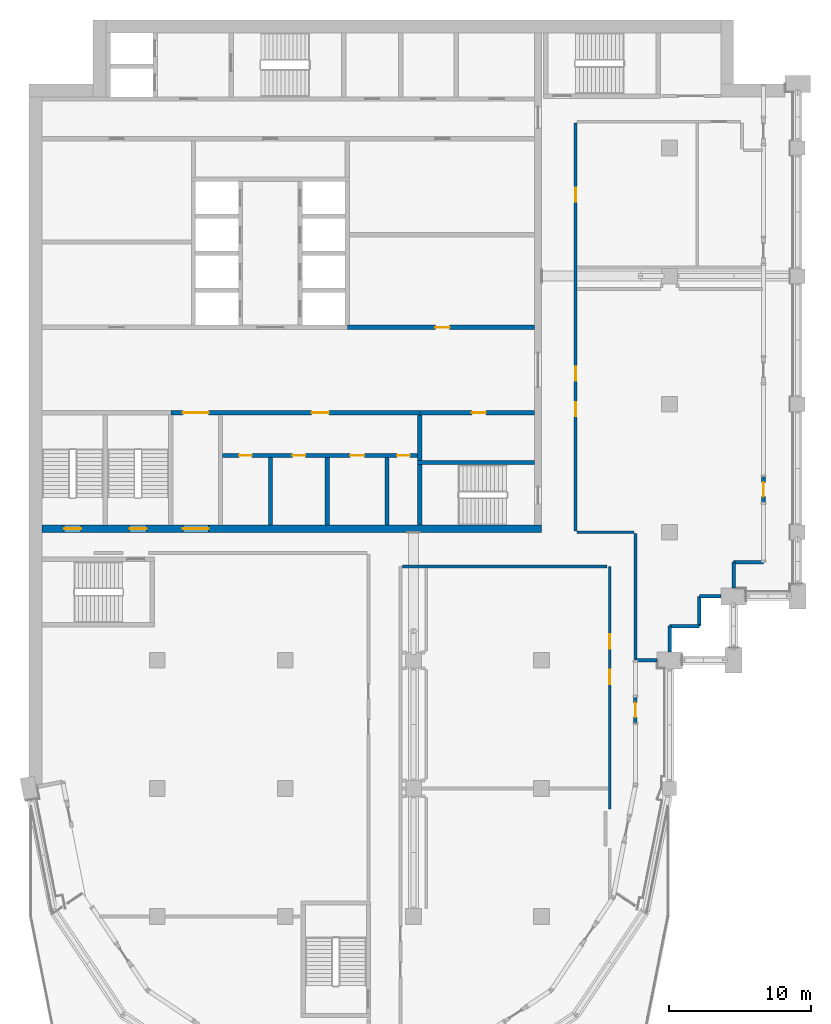
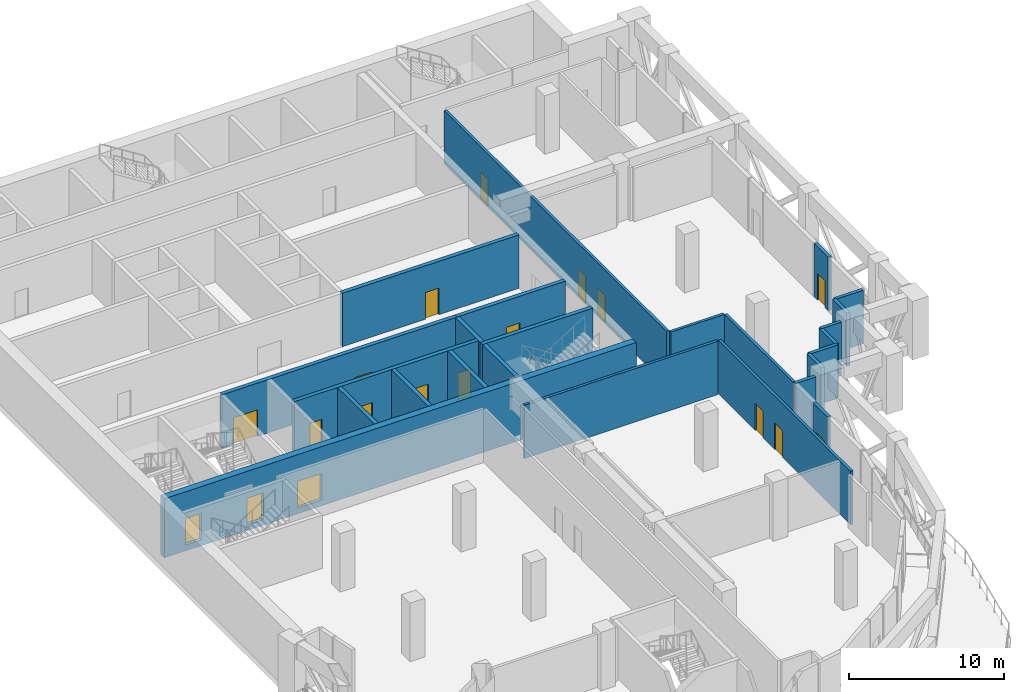
# One storey, part 7 of 16: 25 walls, 18 doors, 18 openings.
"""IFC4 building model written with IfcOpenShell, lengths in metres."""

from ifc_helpers import new_model, si_unit, direction, frame, frame_2d, origin, place, context, subcontext, project, spatial, rectangle, extrude, material, layer, layer_set, type_object, element, fill, save


model = new_model("IFC4")

# Units and contexts
model_context = context("Model", 3, precision=1e-05, world=origin(), true_north=direction((0.0, 1.0)))
body_context = subcontext(model_context, "Body", "Model", "MODEL_VIEW")
ifc_project = project(units=[si_unit("LENGTHUNIT", "METRE"), si_unit("AREAUNIT", "SQUARE_METRE"), si_unit("VOLUMEUNIT", "CUBIC_METRE"), si_unit("PLANEANGLEUNIT", "RADIAN"), si_unit("MASSUNIT", "GRAM", prefix="KILO")], contexts=[model_context])

# Site, building, storey
site_placement = place(None, origin())
site = spatial("IfcSite", under=ifc_project, at=site_placement, CompositionType="ELEMENT")
building_placement = place(site_placement, origin())
building = spatial("IfcBuilding", under=site, at=building_placement, Name="Hunhe Ridgeline Campus", CompositionType="ELEMENT")
storey_placement = place(building_placement, frame((0.0, 0.0, 227.199951171875)))
storey = spatial("IfcBuildingStorey", under=building, at=storey_placement, Name="L58", CompositionType="ELEMENT", Elevation=227.199951171875)

# Wall, openings, doors
ifc_material_1 = material(Name="Masonry concrete blockwork", Category="masonry")
ifc_layer_1 = layer(ifc_material_1, 0.300048828125)
ifc_layer_set_1 = layer_set([ifc_layer_1], Name="Core room partition 300 concrete block")
wall_type_1 = type_object("IfcWallType", Name="Core room partition 300 concrete block", PredefinedType="PARTITIONING", material=ifc_layer_set_1)
wall_1_placement = place(storey_placement, frame((13.60009765625, 68.39990234375, 0.0), z_axis=(0.0, 0.0, 1.0), x_axis=(1.0, 0.0, 0.0)))
wall_1 = element("IfcWall", 1, at=wall_1_placement, inside=storey, type_object=wall_type_1, Name="L58 core partition 7", PredefinedType="PARTITIONING", context=body_context, shape_type="SweptSolid", body=[
    extrude(rectangle(XDim=13.699951171875, YDim=0.300048828125, at=frame_2d((6.85009765625, 0.0))), origin(), (0.0, 0.0, 1.0), 4.199951171875),
])
opening_1_placement = place(wall_1_placement, frame((1.14990234375, 0.0, 0.0)))
opening_1 = element("IfcOpeningElement", 2, at=opening_1_placement, cuts=wall_1, Name="Opening CD8", PredefinedType="OPENING", context=body_context, shape_type="SweptSolid", body=[
    extrude(rectangle(XDim=0.89990234375, YDim=2.10009765625, at=frame_2d((0.449951171875, 1.050048828125))), frame((0.0, 0.14990234375, 0.0), z_axis=(0.0, -1.0, 0.0), x_axis=(1.0, 0.0, 0.0)), (0.0, 0.0, 1.0), 0.300048828125),
])
opening_2_placement = place(wall_1_placement, frame((4.89990234375, 0.0, 0.0)))
opening_2 = element("IfcOpeningElement", 3, at=opening_2_placement, cuts=wall_1, Name="Opening CD9", PredefinedType="OPENING", context=body_context, shape_type="SweptSolid", body=[
    extrude(rectangle(XDim=0.89990234375, YDim=2.10009765625, at=frame_2d((0.449951171875, 1.050048828125))), frame((0.0, 0.14990234375, 0.0), z_axis=(0.0, -1.0, 0.0), x_axis=(1.0, 0.0, 0.0)), (0.0, 0.0, 1.0), 0.300048828125),
])
opening_3_placement = place(wall_1_placement, frame((8.949951171875, 0.0, 0.0)))
opening_3 = element("IfcOpeningElement", 4, at=opening_3_placement, cuts=wall_1, Name="Opening CD10", PredefinedType="OPENING", context=body_context, shape_type="SweptSolid", body=[
    extrude(rectangle(XDim=1.0, YDim=2.10009765625, at=frame_2d((0.5, 1.050048828125))), frame((0.0, 0.14990234375, 0.0), z_axis=(0.0, -1.0, 0.0), x_axis=(1.0, 0.0, 0.0)), (0.0, 0.0, 1.0), 0.300048828125),
])
opening_4_placement = place(wall_1_placement, frame((12.25, 0.0, 0.0)))
opening_4 = element("IfcOpeningElement", 5, at=opening_4_placement, cuts=wall_1, Name="Opening CD11", PredefinedType="OPENING", context=body_context, shape_type="SweptSolid", body=[
    extrude(rectangle(XDim=0.89990234375, YDim=2.10009765625, at=frame_2d((0.449951171875, 1.050048828125))), frame((0.0, 0.14990234375, 0.0), z_axis=(0.0, -1.0, 0.0), x_axis=(1.0, 0.0, 0.0)), (0.0, 0.0, 1.0), 0.300048828125),
])
ifc_material_2 = material(Name="Solid core timber door leaf", Category="wood")
door_type_1 = type_object("IfcDoorType", Name="Timber door 1000x2100", OperationType="SINGLE_SWING_LEFT", PredefinedType="DOOR", material=ifc_material_2)
door_1_placement = place(opening_3_placement, frame((1.0, 0.0, 0.0), z_axis=(0.0, 0.0, 1.0), x_axis=(-1.0, 0.0, 0.0)))
door_1 = element("IfcDoor", 6, at=door_1_placement, inside=storey, type_object=door_type_1, Name="L58 door WC3", OperationType="SINGLE_SWING_LEFT", OverallHeight=2.10009765625, OverallWidth=1.0, PredefinedType="DOOR", context=body_context, shape_type="SweptSolid", body=[
    extrude(rectangle(XDim=1.0, YDim=2.10009765625, at=frame_2d((0.5, 1.050048828125))), frame((0.0, 0.02490234375, 0.0), z_axis=(0.0, -1.0, 0.0), x_axis=(1.0, 0.0, 0.0)), (0.0, 0.0, 1.0), 0.050048828125),
])
fill(opening_3, door_1)
door_type_2 = type_object("IfcDoorType", Name="Timber door 900x2100", OperationType="SINGLE_SWING_LEFT", PredefinedType="DOOR", material=ifc_material_2)
door_2_placement = place(opening_1_placement, frame((0.89990234375, 0.0, 0.0), z_axis=(0.0, 0.0, 1.0), x_axis=(-1.0, 0.0, 0.0)))
door_2 = element("IfcDoor", 7, at=door_2_placement, inside=storey, type_object=door_type_2, Name="L58 door WC1", OperationType="SINGLE_SWING_LEFT", OverallHeight=2.10009765625, OverallWidth=0.89990234375, PredefinedType="DOOR", context=body_context, shape_type="SweptSolid", body=[
    extrude(rectangle(XDim=0.89990234375, YDim=2.10009765625, at=frame_2d((0.449951171875, 1.050048828125))), frame((0.0, 0.02490234375, 0.0), z_axis=(0.0, -1.0, 0.0), x_axis=(1.0, 0.0, 0.0)), (0.0, 0.0, 1.0), 0.050048828125),
])
fill(opening_1, door_2)
door_3_placement = place(opening_2_placement, frame((0.89990234375, 0.0, 0.0), z_axis=(0.0, 0.0, 1.0), x_axis=(-1.0, 0.0, 0.0)))
door_3 = element("IfcDoor", 8, at=door_3_placement, inside=storey, type_object=door_type_2, Name="L58 door WC2", OperationType="SINGLE_SWING_RIGHT", OverallHeight=2.10009765625, OverallWidth=0.89990234375, PredefinedType="DOOR", context=body_context, shape_type="SweptSolid", body=[
    extrude(rectangle(XDim=0.89990234375, YDim=2.10009765625, at=frame_2d((0.449951171875, 1.050048828125))), frame((0.0, 0.02490234375, 0.0), z_axis=(0.0, -1.0, 0.0), x_axis=(1.0, 0.0, 0.0)), (0.0, 0.0, 1.0), 0.050048828125),
])
fill(opening_2, door_3)
door_4_placement = place(opening_4_placement, frame((0.89990234375, 0.0, 0.0), z_axis=(0.0, 0.0, 1.0), x_axis=(-1.0, 0.0, 0.0)))
door_4 = element("IfcDoor", 9, at=door_4_placement, inside=storey, type_object=door_type_2, Name="L58 door WC4", OperationType="SINGLE_SWING_RIGHT", OverallHeight=2.10009765625, OverallWidth=0.89990234375, PredefinedType="DOOR", context=body_context, shape_type="SweptSolid", body=[
    extrude(rectangle(XDim=0.89990234375, YDim=2.10009765625, at=frame_2d((0.449951171875, 1.050048828125))), frame((0.0, 0.02490234375, 0.0), z_axis=(0.0, -1.0, 0.0), x_axis=(1.0, 0.0, 0.0)), (0.0, 0.0, 1.0), 0.050048828125),
])
fill(opening_4, door_4)

wall_2_placement = place(storey_placement, frame((9.949951171875, 71.39990234375, 0.0), z_axis=(0.0, 0.0, 1.0), x_axis=(1.0, 0.0, 0.0)))
wall_2 = element("IfcWall", 10, at=wall_2_placement, inside=storey, type_object=wall_type_1, Name="L58 core partition 9", PredefinedType="PARTITIONING", context=body_context, shape_type="SweptSolid", body=[
    extrude(rectangle(XDim=17.5, YDim=0.300048828125, at=frame_2d((8.75, 0.0))), origin(), (0.0, 0.0, 1.0), 4.199951171875),
])
opening_5_placement = place(wall_2_placement, frame((0.85009765625, 0.0, 0.0)))
opening_5 = element("IfcOpeningElement", 11, at=opening_5_placement, cuts=wall_2, Name="Opening CD7", PredefinedType="OPENING", context=body_context, shape_type="SweptSolid", body=[
    extrude(rectangle(XDim=1.800048828125, YDim=2.10009765625, at=frame_2d((0.89990234375, 1.050048828125))), frame((0.0, 0.14990234375, 0.0), z_axis=(0.0, -1.0, 0.0), x_axis=(1.0, 0.0, 0.0)), (0.0, 0.0, 1.0), 0.300048828125),
])
opening_6_placement = place(wall_2_placement, frame((9.89990234375, 0.0, 0.0)))
opening_6 = element("IfcOpeningElement", 12, at=opening_6_placement, cuts=wall_2, Name="Opening CD12", PredefinedType="OPENING", context=body_context, shape_type="SweptSolid", body=[
    extrude(rectangle(XDim=1.199951171875, YDim=2.10009765625, at=frame_2d((0.60009765625, 1.050048828125))), frame((0.0, 0.14990234375, 0.0), z_axis=(0.0, -1.0, 0.0), x_axis=(1.0, 0.0, 0.0)), (0.0, 0.0, 1.0), 0.300048828125),
])
ifc_material_3 = material(Name="Anodised aluminium and glass", Category="aluminium")
door_type_3 = type_object("IfcDoorType", Name="Glazed double door 1800x2100", OperationType="DOUBLE_DOOR_SINGLE_SWING", PredefinedType="DOOR", material=ifc_material_3)
door_5_placement = place(opening_5_placement, origin())
door_5 = element("IfcDoor", 13, at=door_5_placement, inside=storey, type_object=door_type_3, Name="L58 door VEST-HALL", OperationType="DOUBLE_DOOR_SINGLE_SWING", OverallHeight=2.10009765625, OverallWidth=1.800048828125, PredefinedType="DOOR", context=body_context, shape_type="SweptSolid", body=[
    extrude(rectangle(XDim=1.800048828125, YDim=2.10009765625, at=frame_2d((0.89990234375, 1.050048828125))), frame((0.0, 0.02490234375, 0.0), z_axis=(0.0, -1.0, 0.0), x_axis=(1.0, 0.0, 0.0)), (0.0, 0.0, 1.0), 0.050048828125),
])
fill(opening_5, door_5)
door_type_4 = type_object("IfcDoorType", Name="Timber door 1200x2100", OperationType="SINGLE_SWING_LEFT", PredefinedType="DOOR", material=ifc_material_2)
door_6_placement = place(opening_6_placement, origin())
door_6 = element("IfcDoor", 14, at=door_6_placement, inside=storey, type_object=door_type_4, Name="L58 door WCL2-HALL", OperationType="SINGLE_SWING_RIGHT", OverallHeight=2.10009765625, OverallWidth=1.199951171875, PredefinedType="DOOR", context=body_context, shape_type="SweptSolid", body=[
    extrude(rectangle(XDim=1.199951171875, YDim=2.10009765625, at=frame_2d((0.60009765625, 1.050048828125))), frame((0.0, 0.02490234375, 0.0), z_axis=(0.0, -1.0, 0.0), x_axis=(1.0, 0.0, 0.0)), (0.0, 0.0, 1.0), 0.050048828125),
])
fill(opening_6, door_6)

# Walls
for number, where, z_axis, x_axis, name in (
    (15, (16.949951171875, 63.5, 0.0), (0.0, 0.0, 1.0), (0.0, 1.0, 0.0), "L58 core partition 36"),
    (16, (20.949951171875, 63.5, 0.0), (0.0, 0.0, 1.0), (0.0, 1.0, 0.0), "L58 core partition 39"),
    (17, (25.14990234375, 63.5, 0.0), (0.0, 0.0, 1.0), (0.0, 1.0, 0.0), "L58 core partition 44"),
):
    element("IfcWall", number, at=place(storey_placement, frame(where, z_axis=z_axis, x_axis=x_axis)), inside=storey, type_object=wall_type_1, Name=name, PredefinedType="PARTITIONING", context=body_context, shape_type="SweptSolid", body=[
        extrude(rectangle(XDim=4.75, YDim=0.300048828125, at=frame_2d((2.375, 0.0))), origin(), (0.0, 0.0, 1.0), 4.199951171875),
    ])
wall_3_placement = place(storey_placement, frame((27.449951171875, 68.050048828125, 0.0), z_axis=(0.0, 0.0, 1.0), x_axis=(0.0, 1.0, 0.0)))
element("IfcWall", 18, at=wall_3_placement, inside=storey, type_object=wall_type_1, Name="L58 core partition 47", PredefinedType="PARTITIONING", context=body_context, shape_type="SweptSolid", body=[
    extrude(rectangle(XDim=3.199951171875, YDim=0.300048828125, at=frame_2d((1.60009765625, 0.0))), origin(), (0.0, 0.0, 1.0), 4.199951171875),
])

# Wall, openings, doors
ifc_material_4 = material(Name="Concrete C50", Category="concrete")
ifc_layer_2 = layer(ifc_material_4, 0.5)
ifc_layer_set_2 = layer_set([ifc_layer_2], Name="Core wall 500 reinforced concrete C50")
wall_type_2 = type_object("IfcWallType", Name="Core wall 500 reinforced concrete C50", PredefinedType="SOLIDWALL", material=ifc_layer_set_2)
wall_4_placement = place(storey_placement, frame((0.89990234375, 63.25, -0.449951171875), z_axis=(0.0, 0.0, 1.0), x_axis=(1.0, 0.0, 0.0)))
wall_4 = element("IfcWall", 19, at=wall_4_placement, inside=storey, type_object=wall_type_2, Name="L58 core wall 5", PredefinedType="SOLIDWALL", context=body_context, shape_type="SweptSolid", body=[
    extrude(rectangle(XDim=35.10009765625, YDim=0.5, at=frame_2d((17.550048828125, 0.0))), origin(), (0.0, 0.0, 1.0), 4.64990234375),
])
opening_7_placement = place(wall_4_placement, frame((9.89990234375, 0.0, 0.449951171875)))
opening_7 = element("IfcOpeningElement", 20, at=opening_7_placement, cuts=wall_4, Name="Opening CD6", PredefinedType="OPENING", context=body_context, shape_type="SweptSolid", body=[
    extrude(rectangle(XDim=1.800048828125, YDim=2.10009765625, at=frame_2d((0.89990234375, 1.050048828125))), frame((0.0, 0.25, 0.0), z_axis=(0.0, -1.0, 0.0), x_axis=(1.0, 0.0, 0.0)), (0.0, 0.0, 1.0), 0.5),
])
opening_8_placement = place(wall_4_placement, frame((1.550048828125, 0.0, 0.449951171875)))
opening_8 = element("IfcOpeningElement", 21, at=opening_8_placement, cuts=wall_4, Name="Opening CD13", PredefinedType="OPENING", context=body_context, shape_type="SweptSolid", body=[
    extrude(rectangle(XDim=1.199951171875, YDim=2.10009765625, at=frame_2d((0.60009765625, 1.050048828125))), frame((0.0, 0.25, 0.0), z_axis=(0.0, -1.0, 0.0), x_axis=(1.0, 0.0, 0.0)), (0.0, 0.0, 1.0), 0.5),
])
opening_9_placement = place(wall_4_placement, frame((6.14990234375, 0.0, 0.449951171875)))
opening_9 = element("IfcOpeningElement", 22, at=opening_9_placement, cuts=wall_4, Name="Opening CD14", PredefinedType="OPENING", context=body_context, shape_type="SweptSolid", body=[
    extrude(rectangle(XDim=1.199951171875, YDim=2.10009765625, at=frame_2d((0.60009765625, 1.050048828125))), frame((0.0, 0.25, 0.0), z_axis=(0.0, -1.0, 0.0), x_axis=(1.0, 0.0, 0.0)), (0.0, 0.0, 1.0), 0.5),
])
door_7_placement = place(opening_7_placement, frame((1.800048828125, 0.0, 0.0), z_axis=(0.0, 0.0, 1.0), x_axis=(-1.0, 0.0, 0.0)))
door_7 = element("IfcDoor", 23, at=door_7_placement, inside=storey, type_object=door_type_3, Name="L58 door VEST-FLOOR", OperationType="DOUBLE_DOOR_SINGLE_SWING", OverallHeight=2.10009765625, OverallWidth=1.800048828125, PredefinedType="DOOR", context=body_context, shape_type="SweptSolid", body=[
    extrude(rectangle(XDim=1.800048828125, YDim=2.10009765625, at=frame_2d((0.89990234375, 1.050048828125))), frame((0.0, 0.02490234375, 0.0), z_axis=(0.0, -1.0, 0.0), x_axis=(1.0, 0.0, 0.0)), (0.0, 0.0, 1.0), 0.050048828125),
])
fill(opening_7, door_7)
ifc_material_5 = material(Name="Hollow metal fire door leaf")
door_type_5 = type_object("IfcDoorType", Name="Stair door 1200x2100 FD60", OperationType="SINGLE_SWING_LEFT", PredefinedType="DOOR", material=ifc_material_5)
door_8_placement = place(opening_8_placement, frame((1.199951171875, 0.0, 0.0), z_axis=(0.0, 0.0, 1.0), x_axis=(-1.0, 0.0, 0.0)))
door_8 = element("IfcDoor", 24, at=door_8_placement, inside=storey, type_object=door_type_5, Name="L58 door S3", OperationType="SINGLE_SWING_LEFT", OverallHeight=2.10009765625, OverallWidth=1.199951171875, PredefinedType="DOOR", context=body_context, shape_type="SweptSolid", body=[
    extrude(rectangle(XDim=1.199951171875, YDim=2.10009765625, at=frame_2d((0.60009765625, 1.050048828125))), frame((0.0, 0.02490234375, 0.0), z_axis=(0.0, -1.0, 0.0), x_axis=(1.0, 0.0, 0.0)), (0.0, 0.0, 1.0), 0.050048828125),
])
fill(opening_8, door_8)
door_9_placement = place(opening_9_placement, frame((1.199951171875, 0.0, 0.0), z_axis=(0.0, 0.0, 1.0), x_axis=(-1.0, 0.0, 0.0)))
door_9 = element("IfcDoor", 25, at=door_9_placement, inside=storey, type_object=door_type_5, Name="L58 door S4", OperationType="SINGLE_SWING_RIGHT", OverallHeight=2.10009765625, OverallWidth=1.199951171875, PredefinedType="DOOR", context=body_context, shape_type="SweptSolid", body=[
    extrude(rectangle(XDim=1.199951171875, YDim=2.10009765625, at=frame_2d((0.60009765625, 1.050048828125))), frame((0.0, 0.02490234375, 0.0), z_axis=(0.0, -1.0, 0.0), x_axis=(1.0, 0.0, 0.0)), (0.0, 0.0, 1.0), 0.050048828125),
])
fill(opening_9, door_9)

# Walls
ifc_material_6 = material(Name="Concrete C30", Category="concrete")
ifc_layer_3 = layer(ifc_material_6, 0.25)
ifc_layer_set_3 = layer_set([ifc_layer_3], Name="Corner return wall 250 Concrete C30")
wall_type_3 = type_object("IfcWallType", Name="Corner return wall 250 Concrete C30", PredefinedType="SOLIDWALL", material=ifc_layer_set_3)
wall_5_placement = place(storey_placement, frame((42.59912109375, 54.00048828125, 0.0), z_axis=(0.0, 0.0, 1.0), x_axis=(0.999999986772, 0.00016265452, 0.0)))
element("IfcWall", 26, at=wall_5_placement, inside=storey, type_object=wall_type_3, Name="Corner return wall 2", PredefinedType="SOLIDWALL", context=body_context, shape_type="SweptSolid", body=[
    extrude(rectangle(XDim=1.5009765625, YDim=0.25, at=frame_2d((0.75048828125, 0.0))), origin(), (0.0, 0.0, 1.0), 4.199951171875),
])
wall_6_placement = place(storey_placement, frame((44.9990234375, 54.60009765625, 0.0), z_axis=(0.0, 0.0, 1.0), x_axis=(0.000135593219, 0.999999990807, 0.0)))
element("IfcWall", 27, at=wall_6_placement, inside=storey, type_object=wall_type_3, Name="Corner return wall 3", PredefinedType="SOLIDWALL", context=body_context, shape_type="SweptSolid", body=[
    extrude(rectangle(XDim=1.800537109375, YDim=0.25, at=frame_2d((0.900390625, 0.0))), origin(), (0.0, 0.0, 1.0), 4.199951171875),
])
wall_7_placement = place(storey_placement, frame((44.999267578125, 56.400634765625, 0.0), z_axis=(0.0, 0.0, 1.0), x_axis=(0.999999993241, 0.00011626555, 0.0)))
element("IfcWall", 28, at=wall_7_placement, inside=storey, type_object=wall_type_3, Name="Corner return wall 4", PredefinedType="SOLIDWALL", context=body_context, shape_type="SweptSolid", body=[
    extrude(rectangle(XDim=2.099853515625, YDim=0.25, at=frame_2d((1.0498046875, 0.0))), origin(), (0.0, 0.0, 1.0), 4.199951171875),
])
wall_8_placement = place(storey_placement, frame((47.09912109375, 56.40087890625, 0.0), z_axis=(0.0, 0.0, 1.0), x_axis=(0.000232504063, 0.999999972971, 0.0)))
element("IfcWall", 29, at=wall_8_placement, inside=storey, type_object=wall_type_3, Name="Corner return wall 5", PredefinedType="SOLIDWALL", context=body_context, shape_type="SweptSolid", body=[
    extrude(rectangle(XDim=2.10009765625, YDim=0.25, at=frame_2d((1.050048828125, 0.0))), origin(), (0.0, 0.0, 1.0), 4.199951171875),
])
wall_9_placement = place(storey_placement, frame((47.099609375, 58.5009765625, 0.0), z_axis=(0.0, 0.0, 1.0), x_axis=(1.0, 0.0, 0.0)))
element("IfcWall", 30, at=wall_9_placement, inside=storey, type_object=wall_type_3, Name="Corner return wall 6", PredefinedType="SOLIDWALL", context=body_context, shape_type="SweptSolid", body=[
    extrude(rectangle(XDim=1.50048828125, YDim=0.25, at=frame_2d((0.750244140625, 0.0))), origin(), (0.0, 0.0, 1.0), 4.199951171875),
])
wall_10_placement = place(storey_placement, frame((49.4990234375, 59.10009765625, 0.0), z_axis=(0.0, 0.0, 1.0), x_axis=(0.000271149665, 0.999999963239, 0.0)))
element("IfcWall", 31, at=wall_10_placement, inside=storey, type_object=wall_type_3, Name="Corner return wall 7", PredefinedType="SOLIDWALL", context=body_context, shape_type="SweptSolid", body=[
    extrude(rectangle(XDim=1.80078125, YDim=0.25, at=frame_2d((0.900390625, 0.0))), origin(), (0.0, 0.0, 1.0), 4.199951171875),
])
wall_11_placement = place(storey_placement, frame((49.49951171875, 60.90087890625, 0.0), z_axis=(0.0, 0.0, 1.0), x_axis=(1.0, 0.0, 0.0)))
element("IfcWall", 32, at=wall_11_placement, inside=storey, type_object=wall_type_3, Name="Corner return wall 8", PredefinedType="SOLIDWALL", context=body_context, shape_type="SweptSolid", body=[
    extrude(rectangle(XDim=2.099609375, YDim=0.25, at=frame_2d((1.0498046875, 0.0))), origin(), (0.0, 0.0, 1.0), 4.199951171875),
])
ifc_material_7 = material(Name="Gypsum board partition")
ifc_layer_4 = layer(ifc_material_7, 0.199951171875)
ifc_layer_set_4 = layer_set([ifc_layer_4], Name="Corridor partition 200 gypsum board on steel studs")
wall_type_4 = type_object("IfcWallType", Name="Corridor partition 200 gypsum board on steel studs", PredefinedType="PARTITIONING", material=ifc_layer_set_4)
wall_12_placement = place(storey_placement, frame((40.61572265625, 60.60009765625, 0.0), z_axis=(0.0, 0.0, 1.0), x_axis=(-1.0, 0.0, 0.0)))
element("IfcWall", 33, at=wall_12_placement, inside=storey, type_object=wall_type_4, Name="F-L58-wall-016", PredefinedType="PARTITIONING", context=body_context, shape_type="SweptSolid", body=[
    extrude(rectangle(XDim=14.385498046875, YDim=0.199951171875, at=frame_2d((7.19287109375, 0.0))), origin(), (0.0, 0.0, 1.0), 4.199951171875),
])
wall_13_placement = place(storey_placement, frame((38.5, 63.0, 0.0), z_axis=(0.0, 0.0, 1.0), x_axis=(1.0, 0.0, 0.0)))
element("IfcWall", 34, at=wall_13_placement, inside=storey, type_object=wall_type_4, Name="F-L58-wall-019", PredefinedType="PARTITIONING", context=body_context, shape_type="SweptSolid", body=[
    extrude(rectangle(XDim=4.0, YDim=0.199951171875, at=frame_2d((2.0, 0.0))), origin(), (0.0, 0.0, 1.0), 4.199951171875),
])

# Wall, openings, doors
wall_14_placement = place(storey_placement, frame((38.39990234375, 91.75, 0.0), z_axis=(0.0, 0.0, 1.0), x_axis=(0.0, -1.0, 0.0)))
wall_14 = element("IfcWall", 35, at=wall_14_placement, inside=storey, type_object=wall_type_4, Name="F-L58-wall-033", PredefinedType="PARTITIONING", context=body_context, shape_type="SweptSolid", body=[
    extrude(rectangle(XDim=28.64990234375, YDim=0.199951171875, at=frame_2d((14.324951171875, 0.0))), origin(), (0.0, 0.0, 1.0), 4.199951171875),
])
opening_10_placement = place(wall_14_placement, frame((19.605224609375, 0.0, 0.0)))
opening_10 = element("IfcOpeningElement", 36, at=opening_10_placement, cuts=wall_14, Name="Opening RD1-008", PredefinedType="OPENING", context=body_context, shape_type="SweptSolid", body=[
    extrude(rectangle(XDim=1.0, YDim=2.10009765625, at=frame_2d((0.5, 1.050048828125))), frame((0.0, 0.10009765625, 0.0), z_axis=(0.0, -1.0, 0.0), x_axis=(1.0, 0.0, 0.0)), (0.0, 0.0, 1.0), 0.199951171875),
])
opening_11_placement = place(wall_14_placement, frame((17.105224609375, 0.0, 0.0)))
opening_11 = element("IfcOpeningElement", 37, at=opening_11_placement, cuts=wall_14, Name="Opening RD1-009", PredefinedType="OPENING", context=body_context, shape_type="SweptSolid", body=[
    extrude(rectangle(XDim=1.0, YDim=2.10009765625, at=frame_2d((0.5, 1.050048828125))), frame((0.0, 0.10009765625, 0.0), z_axis=(0.0, -1.0, 0.0), x_axis=(1.0, 0.0, 0.0)), (0.0, 0.0, 1.0), 0.199951171875),
])
opening_12_placement = place(wall_14_placement, frame((4.5263671875, 0.0, 0.0)))
opening_12 = element("IfcOpeningElement", 38, at=opening_12_placement, cuts=wall_14, Name="Opening RD1-010", PredefinedType="OPENING", context=body_context, shape_type="SweptSolid", body=[
    extrude(rectangle(XDim=1.0, YDim=2.10009765625, at=frame_2d((0.5, 1.050048828125))), frame((0.0, 0.10009765625, 0.0), z_axis=(0.0, -1.0, 0.0), x_axis=(1.0, 0.0, 0.0)), (0.0, 0.0, 1.0), 0.199951171875),
])
ifc_material_8 = material(Name="Timber door leaf", Category="wood")
door_type_6 = type_object("IfcDoorType", Name="Single fire door 1000x2100 timber FD60", OperationType="NOTDEFINED", PredefinedType="DOOR", material=ifc_material_8)
door_10_placement = place(opening_10_placement, frame((1.0, 0.0, 0.0), z_axis=(0.0, 0.0, 1.0), x_axis=(-1.0, 0.0, 0.0)))
door_10 = element("IfcDoor", 39, at=door_10_placement, inside=storey, type_object=door_type_6, Name="F-L58-door-008", OperationType="SINGLE_SWING_LEFT", OverallHeight=2.10009765625, OverallWidth=1.0, PredefinedType="DOOR", context=body_context, shape_type="SweptSolid", body=[
    extrude(rectangle(XDim=1.0, YDim=2.10009765625, at=frame_2d((0.5, 1.050048828125))), frame((0.0, 0.02490234375, 0.0), z_axis=(0.0, -1.0, 0.0), x_axis=(1.0, 0.0, 0.0)), (0.0, 0.0, 1.0), 0.050048828125),
])
fill(opening_10, door_10)
door_11_placement = place(opening_11_placement, frame((1.0, 0.0, 0.0), z_axis=(0.0, 0.0, 1.0), x_axis=(-1.0, 0.0, 0.0)))
door_11 = element("IfcDoor", 40, at=door_11_placement, inside=storey, type_object=door_type_6, Name="F-L58-door-009", OperationType="SINGLE_SWING_RIGHT", OverallHeight=2.10009765625, OverallWidth=1.0, PredefinedType="DOOR", context=body_context, shape_type="SweptSolid", body=[
    extrude(rectangle(XDim=1.0, YDim=2.10009765625, at=frame_2d((0.5, 1.050048828125))), frame((0.0, 0.02490234375, 0.0), z_axis=(0.0, -1.0, 0.0), x_axis=(1.0, 0.0, 0.0)), (0.0, 0.0, 1.0), 0.050048828125),
])
fill(opening_11, door_11)
door_12_placement = place(opening_12_placement, frame((1.0, 0.0, 0.0), z_axis=(0.0, 0.0, 1.0), x_axis=(-1.0, 0.0, 0.0)))
door_12 = element("IfcDoor", 41, at=door_12_placement, inside=storey, type_object=door_type_6, Name="F-L58-door-010", OperationType="SINGLE_SWING_RIGHT", OverallHeight=2.10009765625, OverallWidth=1.0, PredefinedType="DOOR", context=body_context, shape_type="SweptSolid", body=[
    extrude(rectangle(XDim=1.0, YDim=2.10009765625, at=frame_2d((0.5, 1.050048828125))), frame((0.0, 0.02490234375, 0.0), z_axis=(0.0, -1.0, 0.0), x_axis=(1.0, 0.0, 0.0)), (0.0, 0.0, 1.0), 0.050048828125),
])
fill(opening_12, door_12)

wall_15_placement = place(storey_placement, frame((40.800048828125, 43.56396484375, 0.0), z_axis=(0.0, 0.0, 1.0), x_axis=(0.0, 1.0, 0.0)))
wall_15 = element("IfcWall", 42, at=wall_15_placement, inside=storey, type_object=wall_type_4, Name="F-L58-wall-036", PredefinedType="PARTITIONING", context=body_context, shape_type="SweptSolid", body=[
    extrude(rectangle(XDim=17.0361328125, YDim=0.199951171875, at=frame_2d((8.51806640625, 0.0))), origin(), (0.0, 0.0, 1.0), 4.199951171875),
])
opening_13_placement = place(wall_15_placement, frame((8.76953125, 0.0, 0.0)))
opening_13 = element("IfcOpeningElement", 43, at=opening_13_placement, cuts=wall_15, Name="Opening RD1-006", PredefinedType="OPENING", context=body_context, shape_type="SweptSolid", body=[
    extrude(rectangle(XDim=1.0, YDim=2.10009765625, at=frame_2d((0.5, 1.050048828125))), frame((0.0, 0.10009765625, 0.0), z_axis=(0.0, -1.0, 0.0), x_axis=(1.0, 0.0, 0.0)), (0.0, 0.0, 1.0), 0.199951171875),
])
opening_14_placement = place(wall_15_placement, frame((11.26953125, 0.0, 0.0)))
opening_14 = element("IfcOpeningElement", 44, at=opening_14_placement, cuts=wall_15, Name="Opening RD1-007", PredefinedType="OPENING", context=body_context, shape_type="SweptSolid", body=[
    extrude(rectangle(XDim=1.0, YDim=2.10009765625, at=frame_2d((0.5, 1.050048828125))), frame((0.0, 0.10009765625, 0.0), z_axis=(0.0, -1.0, 0.0), x_axis=(1.0, 0.0, 0.0)), (0.0, 0.0, 1.0), 0.199951171875),
])
door_13_placement = place(opening_13_placement, frame((1.0, 0.0, 0.0), z_axis=(0.0, 0.0, 1.0), x_axis=(-1.0, 0.0, 0.0)))
door_13 = element("IfcDoor", 45, at=door_13_placement, inside=storey, type_object=door_type_6, Name="F-L58-door-006", OperationType="SINGLE_SWING_LEFT", OverallHeight=2.10009765625, OverallWidth=1.0, PredefinedType="DOOR", context=body_context, shape_type="SweptSolid", body=[
    extrude(rectangle(XDim=1.0, YDim=2.10009765625, at=frame_2d((0.5, 1.050048828125))), frame((0.0, 0.02490234375, 0.0), z_axis=(0.0, -1.0, 0.0), x_axis=(1.0, 0.0, 0.0)), (0.0, 0.0, 1.0), 0.050048828125),
])
fill(opening_13, door_13)
door_14_placement = place(opening_14_placement, frame((1.0, 0.0, 0.0), z_axis=(0.0, 0.0, 1.0), x_axis=(-1.0, 0.0, 0.0)))
door_14 = element("IfcDoor", 46, at=door_14_placement, inside=storey, type_object=door_type_6, Name="F-L58-door-007", OperationType="SINGLE_SWING_LEFT", OverallHeight=2.10009765625, OverallWidth=1.0, PredefinedType="DOOR", context=body_context, shape_type="SweptSolid", body=[
    extrude(rectangle(XDim=1.0, YDim=2.10009765625, at=frame_2d((0.5, 1.050048828125))), frame((0.0, 0.02490234375, 0.0), z_axis=(0.0, -1.0, 0.0), x_axis=(1.0, 0.0, 0.0)), (0.0, 0.0, 1.0), 0.050048828125),
])
fill(opening_14, door_14)

# Wall
wall_16_placement = place(storey_placement, frame((42.60009765625, 62.89990234375, 0.0), z_axis=(0.0, 0.0, 1.0), x_axis=(0.0, -1.0, 0.0)))
element("IfcWall", 47, at=wall_16_placement, inside=storey, type_object=wall_type_4, Name="F-L58-wall-037", PredefinedType="PARTITIONING", context=body_context, shape_type="SweptSolid", body=[
    extrude(rectangle(XDim=8.845458984375, YDim=0.199951171875, at=frame_2d((4.4228515625, 0.0))), origin(), (0.0, 0.0, 1.0), 4.199951171875),
])

# Wall, opening, door
ifc_layer_5 = layer(ifc_material_4, 0.300048828125)
ifc_layer_set_5 = layer_set([ifc_layer_5], Name="Lobby wall 300 reinforced concrete C50")
wall_type_5 = type_object("IfcWallType", Name="Lobby wall 300 reinforced concrete C50", PredefinedType="SOLIDWALL", material=ifc_layer_set_5)
wall_17_placement = place(storey_placement, frame((27.449951171875, 71.39990234375, 0.0), z_axis=(0.0, 0.0, 1.0), x_axis=(1.0, 0.0, 0.0)))
wall_17 = element("IfcWall", 48, at=wall_17_placement, inside=storey, type_object=wall_type_5, Name="L58 core wall 10", PredefinedType="SOLIDWALL", context=body_context, shape_type="SweptSolid", body=[
    extrude(rectangle(XDim=8.050048828125, YDim=0.300048828125, at=frame_2d((4.02490234375, 0.0))), origin(), (0.0, 0.0, 1.0), 4.199951171875),
])
opening_15_placement = place(wall_17_placement, frame((3.64990234375, 0.0, 0.0)))
opening_15 = element("IfcOpeningElement", 49, at=opening_15_placement, cuts=wall_17, Name="Opening CD25", PredefinedType="OPENING", context=body_context, shape_type="SweptSolid", body=[
    extrude(rectangle(XDim=1.0, YDim=2.10009765625, at=frame_2d((0.5, 1.050048828125))), frame((0.0, 0.14990234375, 0.0), z_axis=(0.0, -1.0, 0.0), x_axis=(1.0, 0.0, 0.0)), (0.0, 0.0, 1.0), 0.300048828125),
])
door_15_placement = place(opening_15_placement, frame((1.0, 0.0, 0.0), z_axis=(0.0, 0.0, 1.0), x_axis=(-1.0, 0.0, 0.0)))
door_15 = element("IfcDoor", 50, at=door_15_placement, inside=storey, type_object=door_type_1, Name="L58 door SE1", OperationType="SINGLE_SWING_LEFT", OverallHeight=2.10009765625, OverallWidth=1.0, PredefinedType="DOOR", context=body_context, shape_type="SweptSolid", body=[
    extrude(rectangle(XDim=1.0, YDim=2.10009765625, at=frame_2d((0.5, 1.050048828125))), frame((0.0, 0.02490234375, 0.0), z_axis=(0.0, -1.0, 0.0), x_axis=(1.0, 0.0, 0.0)), (0.0, 0.0, 1.0), 0.050048828125),
])
fill(opening_15, door_15)

wall_18_placement = place(storey_placement, frame((22.35009765625, 77.39990234375, 0.0), z_axis=(0.0, 0.0, 1.0), x_axis=(1.0, 0.0, 0.0)))
wall_18 = element("IfcWall", 51, at=wall_18_placement, inside=storey, type_object=wall_type_5, Name="L58 core wall 12", PredefinedType="SOLIDWALL", context=body_context, shape_type="SweptSolid", body=[
    extrude(rectangle(XDim=13.14990234375, YDim=0.300048828125, at=frame_2d((6.574951171875, 0.0))), origin(), (0.0, 0.0, 1.0), 4.199951171875),
])
opening_16_placement = place(wall_18_placement, frame((6.199951171875, 0.0, 0.0)))
opening_16 = element("IfcOpeningElement", 52, at=opening_16_placement, cuts=wall_18, Name="Opening CD32", PredefinedType="OPENING", context=body_context, shape_type="SweptSolid", body=[
    extrude(rectangle(XDim=1.0, YDim=2.10009765625, at=frame_2d((0.5, 1.050048828125))), frame((0.0, 0.14990234375, 0.0), z_axis=(0.0, -1.0, 0.0), x_axis=(1.0, 0.0, 0.0)), (0.0, 0.0, 1.0), 0.300048828125),
])
door_16_placement = place(opening_16_placement, origin())
door_16 = element("IfcDoor", 53, at=door_16_placement, inside=storey, type_object=door_type_1, Name="L58 door ES0", OperationType="SINGLE_SWING_RIGHT", OverallHeight=2.10009765625, OverallWidth=1.0, PredefinedType="DOOR", context=body_context, shape_type="SweptSolid", body=[
    extrude(rectangle(XDim=1.0, YDim=2.10009765625, at=frame_2d((0.5, 1.050048828125))), frame((0.0, 0.02490234375, 0.0), z_axis=(0.0, -1.0, 0.0), x_axis=(1.0, 0.0, 0.0)), (0.0, 0.0, 1.0), 0.050048828125),
])
fill(opening_16, door_16)

ifc_layer_6 = layer(ifc_material_6, 0.25)
ifc_layer_set_6 = layer_set([ifc_layer_6], Name="Loggia door pier wall 250 Concrete C30")
wall_type_6 = type_object("IfcWallType", Name="Loggia door pier wall 250 Concrete C30", PredefinedType="SOLIDWALL", material=ifc_layer_set_6)
wall_19_placement = place(storey_placement, frame((42.59912109375, 49.618408203125, 0.0), z_axis=(0.0, 0.0, 1.0), x_axis=(0.0, 1.0, 0.0)))
wall_19 = element("IfcWall", 54, at=wall_19_placement, inside=storey, type_object=wall_type_6, Name="Loggia door pier 9", PredefinedType="SOLIDWALL", context=body_context, shape_type="SweptSolid", body=[
    extrude(rectangle(XDim=1.800048828125, YDim=0.25, at=frame_2d((0.89990234375, 0.0))), origin(), (0.0, 0.0, 1.0), 4.199951171875),
])
opening_17_placement = place(wall_19_placement, frame((0.39990234375, 0.0, 0.0)))
opening_17 = element("IfcOpeningElement", 55, at=opening_17_placement, cuts=wall_19, Name="Opening BR509", PredefinedType="OPENING", context=body_context, shape_type="SweptSolid", body=[
    extrude(rectangle(XDim=1.0, YDim=2.10009765625, at=frame_2d((0.5, 1.050048828125))), frame((0.0, 0.125, 0.0), z_axis=(0.0, -1.0, 0.0), x_axis=(1.0, 0.0, 0.0)), (0.0, 0.0, 1.0), 0.25),
])
ifc_material_9 = material(Name="Aluminium 6063", Category="aluminium")
door_type_7 = type_object("IfcDoorType", Name="Loggia glazed door 1000x2100", OperationType="NOTDEFINED", PredefinedType="DOOR", material=ifc_material_9)
door_17_placement = place(opening_17_placement, frame((1.0, 0.0, 0.0), z_axis=(0.0, 0.0, 1.0), x_axis=(-1.0, 0.0, 0.0)))
door_17 = element("IfcDoor", 56, at=door_17_placement, inside=storey, type_object=door_type_7, Name="Loggia door BR509", OperationType="SINGLE_SWING_RIGHT", OverallHeight=2.10009765625, OverallWidth=1.0, PredefinedType="DOOR", context=body_context, shape_type="SweptSolid", body=[
    extrude(rectangle(XDim=1.0, YDim=2.10009765625, at=frame_2d((0.5, 1.050048828125))), frame((0.0, 0.02490234375, 0.0), z_axis=(0.0, -1.0, 0.0), x_axis=(1.0, 0.0, 0.0)), (0.0, 0.0, 1.0), 0.050048828125),
])
fill(opening_17, door_17)

wall_20_placement = place(storey_placement, frame((51.59912109375, 65.100830078125, 0.0), z_axis=(0.0, 0.0, 1.0), x_axis=(0.0, 1.0, 0.0)))
wall_20 = element("IfcWall", 57, at=wall_20_placement, inside=storey, type_object=wall_type_6, Name="Loggia door pier 10", PredefinedType="SOLIDWALL", context=body_context, shape_type="SweptSolid", body=[
    extrude(rectangle(XDim=1.800048828125, YDim=0.25, at=frame_2d((0.89990234375, 0.0))), origin(), (0.0, 0.0, 1.0), 4.199951171875),
])
opening_18_placement = place(wall_20_placement, frame((0.39990234375, 0.0, 0.0)))
opening_18 = element("IfcOpeningElement", 58, at=opening_18_placement, cuts=wall_20, Name="Opening BR510", PredefinedType="OPENING", context=body_context, shape_type="SweptSolid", body=[
    extrude(rectangle(XDim=1.0, YDim=2.10009765625, at=frame_2d((0.5, 1.050048828125))), frame((0.0, 0.125, 0.0), z_axis=(0.0, -1.0, 0.0), x_axis=(1.0, 0.0, 0.0)), (0.0, 0.0, 1.0), 0.25),
])
door_18_placement = place(opening_18_placement, frame((1.0, 0.0, 0.0), z_axis=(0.0, 0.0, 1.0), x_axis=(-1.0, 0.0, 0.0)))
door_18 = element("IfcDoor", 59, at=door_18_placement, inside=storey, type_object=door_type_7, Name="Loggia door BR510", OperationType="SINGLE_SWING_LEFT", OverallHeight=2.10009765625, OverallWidth=1.0, PredefinedType="DOOR", context=body_context, shape_type="SweptSolid", body=[
    extrude(rectangle(XDim=1.0, YDim=2.10009765625, at=frame_2d((0.5, 1.050048828125))), frame((0.0, 0.02490234375, 0.0), z_axis=(0.0, -1.0, 0.0), x_axis=(1.0, 0.0, 0.0)), (0.0, 0.0, 1.0), 0.050048828125),
])
fill(opening_18, door_18)

# Walls
ifc_layer_7 = layer(ifc_material_4, 0.300048828125)
ifc_layer_set_7 = layer_set([ifc_layer_7], Name="Stair wall 300 reinforced concrete C50")
wall_type_7 = type_object("IfcWallType", Name="Stair wall 300 reinforced concrete C50", PredefinedType="SOLIDWALL", material=ifc_layer_set_7)
wall_21_placement = place(storey_placement, frame((27.300048828125, 67.89990234375, -0.449951171875), z_axis=(0.0, 0.0, 1.0), x_axis=(1.0, 0.0, 0.0)))
element("IfcWall", 60, at=wall_21_placement, inside=storey, type_object=wall_type_7, Name="L58 core wall 6", PredefinedType="SOLIDWALL", context=body_context, shape_type="SweptSolid", body=[
    extrude(rectangle(XDim=8.199951171875, YDim=0.300048828125, at=frame_2d((4.10009765625, 0.0))), origin(), (0.0, 0.0, 1.0), 4.64990234375),
])
wall_22_placement = place(storey_placement, frame((27.449951171875, 63.5, -0.449951171875), z_axis=(0.0, 0.0, 1.0), x_axis=(0.0, 1.0, 0.0)))
element("IfcWall", 61, at=wall_22_placement, inside=storey, type_object=wall_type_7, Name="L58 core wall 46", PredefinedType="SOLIDWALL", context=body_context, shape_type="SweptSolid", body=[
    extrude(rectangle(XDim=4.25, YDim=0.300048828125, at=frame_2d((2.125, 0.0))), origin(), (0.0, 0.0, 1.0), 4.64990234375),
])

save(model, "model.ifc")
